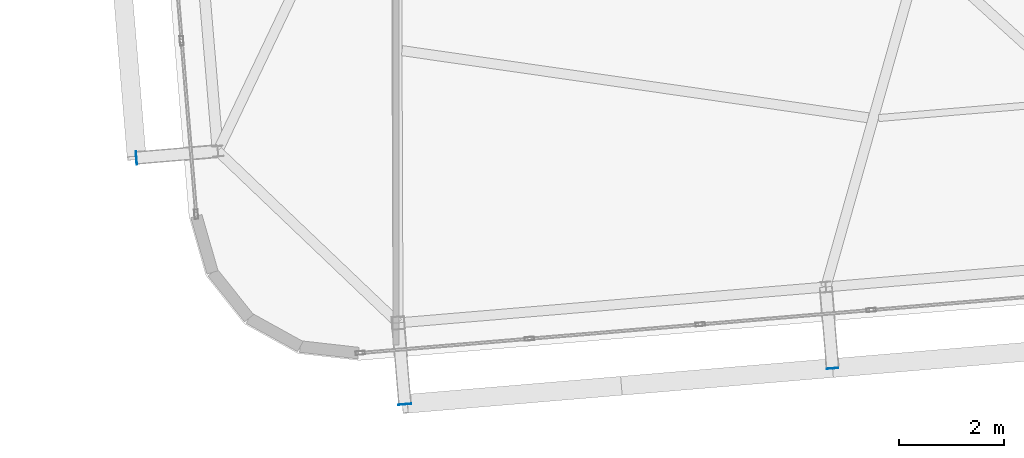
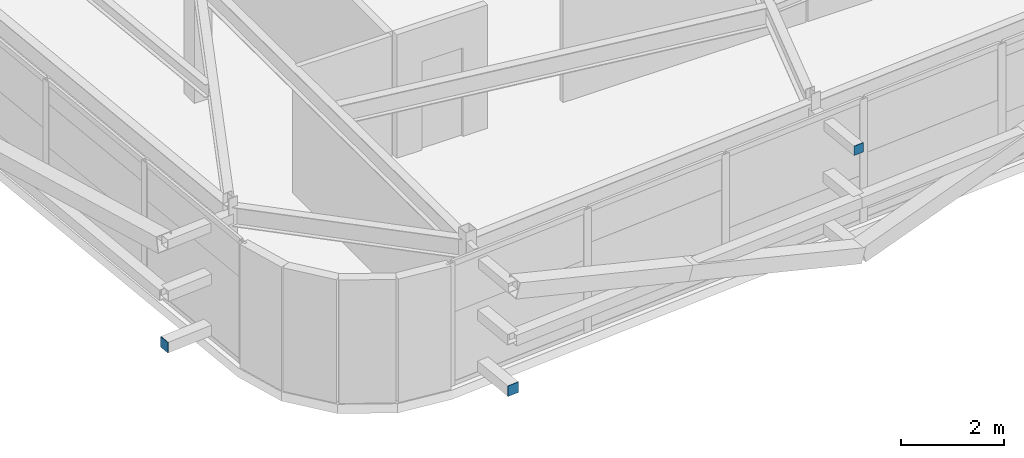
# One storey, part 34 of 46: 3 plates.
"""IFC4 building model written with IfcOpenShell, lengths in metres."""

from ifc_helpers import new_model, si_unit, direction, frame, origin, origin_2d, place, context, subcontext, project, spatial, rectangle, extrude, source, transform, mapped, material, layer, layer_set, type_object, element, save


model = new_model("IFC4")

# Units and contexts
model_context = context("Model", 3, precision=1e-05, world=origin(), true_north=direction((0.0, 1.0)))
body_context = subcontext(model_context, "Body", "Model", "MODEL_VIEW")
ifc_project = project(units=[si_unit("LENGTHUNIT", "METRE"), si_unit("AREAUNIT", "SQUARE_METRE"), si_unit("VOLUMEUNIT", "CUBIC_METRE"), si_unit("PLANEANGLEUNIT", "RADIAN"), si_unit("MASSUNIT", "GRAM", prefix="KILO")], contexts=[model_context])

# Site, building, storey
site_placement = place(None, origin())
site = spatial("IfcSite", under=ifc_project, at=site_placement, CompositionType="ELEMENT")
building_placement = place(site_placement, origin())
building = spatial("IfcBuilding", under=site, at=building_placement, Name="Taldren Reach Tower", CompositionType="ELEMENT")
storey_placement = place(building_placement, frame((0.0, 0.0, 188.300048828125)))
storey = spatial("IfcBuildingStorey", under=building, at=storey_placement, Name="L57", CompositionType="ELEMENT", Elevation=188.300048828125)

# Plates
ifc_material_1 = material(Name="Steel Gr 350 (C350L0)", Category="steel")
ifc_layer_1 = layer(ifc_material_1, 0.011962890625)
ifc_layer_set_1 = layer_set([ifc_layer_1], Name="Steel Gr 350 (C350L0)")
plate_type_1 = type_object("IfcPlateType", Name="PL-CAP-250", PredefinedType="SHEET", material=ifc_layer_set_1)
shared_shape_1 = source(origin(), body_context, "Body", "SweptSolid", [
    extrude(rectangle(XDim=0.25, YDim=0.011962890625, at=origin_2d()), origin(), (0.0, 0.0, 1.0), 0.25),
])
plate_1_placement = place(storey_placement, frame((18.169921875, 0.54345703125, 0.094970703125), z_axis=(0.0, 0.0, 1.0), x_axis=(0.99649285925, 0.083677843332, 0.0)))
element("IfcPlate", 1, at=plate_1_placement, inside=storey, type_object=plate_type_1, Name="Tie strut end cap plate B4-S1 L57", PredefinedType="SHEET", context=body_context, shape_type="MappedRepresentation", body=[
    mapped(shared_shape_1, transform((0.0, 0.0, 0.0), scale=1.0)),
])
shared_shape_2 = source(origin(), body_context, "Body", "SweptSolid", [
    extrude(rectangle(XDim=0.011962890625, YDim=0.25, at=origin_2d()), origin(), (0.0, 0.0, 1.0), 0.25),
])
plate_2_placement = place(storey_placement, frame((13.052978515625, 5.23779296875, 0.094970703125), z_axis=(0.0, 0.0, 1.0), x_axis=(0.99649285925, 0.083677843332, 0.0)))
element("IfcPlate", 2, at=plate_2_placement, inside=storey, type_object=plate_type_1, Name="Tie strut end cap plate B4-W1 L57", PredefinedType="SHEET", context=body_context, shape_type="MappedRepresentation", body=[
    mapped(shared_shape_2, transform((0.0, 0.0, 0.0), scale=1.0)),
])
ifc_material_2 = material(Name="Steel Gr 450 (C450L0)", Category="steel")
ifc_layer_2 = layer(ifc_material_2, 0.011962890625)
ifc_layer_set_2 = layer_set([ifc_layer_2], Name="Steel Gr 450 (C450L0)")
plate_type_2 = type_object("IfcPlateType", Name="PL-CAP-220", PredefinedType="SHEET", material=ifc_layer_set_2)
shared_shape_3 = source(origin(), body_context, "Body", "SweptSolid", [
    extrude(rectangle(XDim=0.219970703125, YDim=0.011962890625, at=origin_2d()), origin(), (0.0, 0.0, 1.0), 0.219970703125),
])
plate_3_placement = place(storey_placement, frame((26.321044921875, 1.22802734375, 2.5400390625), z_axis=(0.0, 0.0, 1.0), x_axis=(0.99649285925, 0.083677843332, 0.0)))
element("IfcPlate", 3, at=plate_3_placement, inside=storey, type_object=plate_type_2, Name="Tie strut end cap plate B4-S2 L57", PredefinedType="SHEET", context=body_context, shape_type="MappedRepresentation", body=[
    mapped(shared_shape_3, transform((0.0, 0.0, 0.0), scale=1.0)),
])

save(model, "model.ifc")
